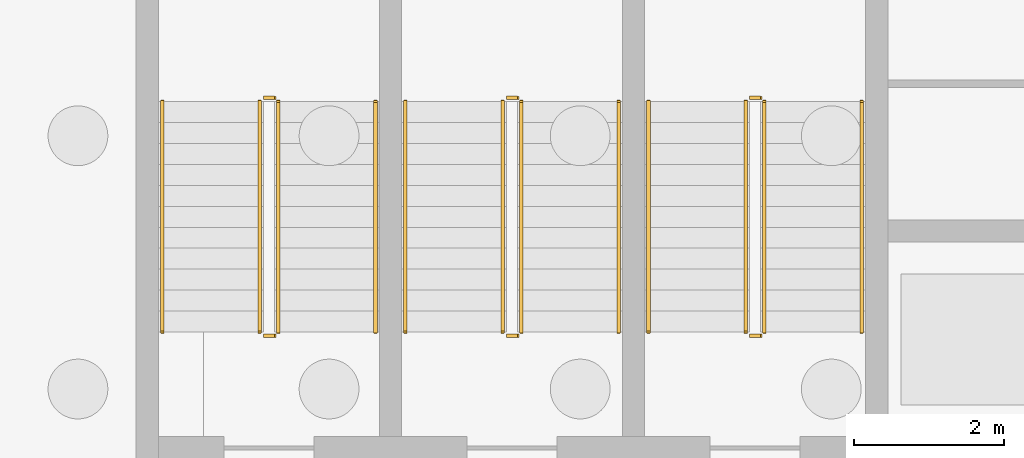
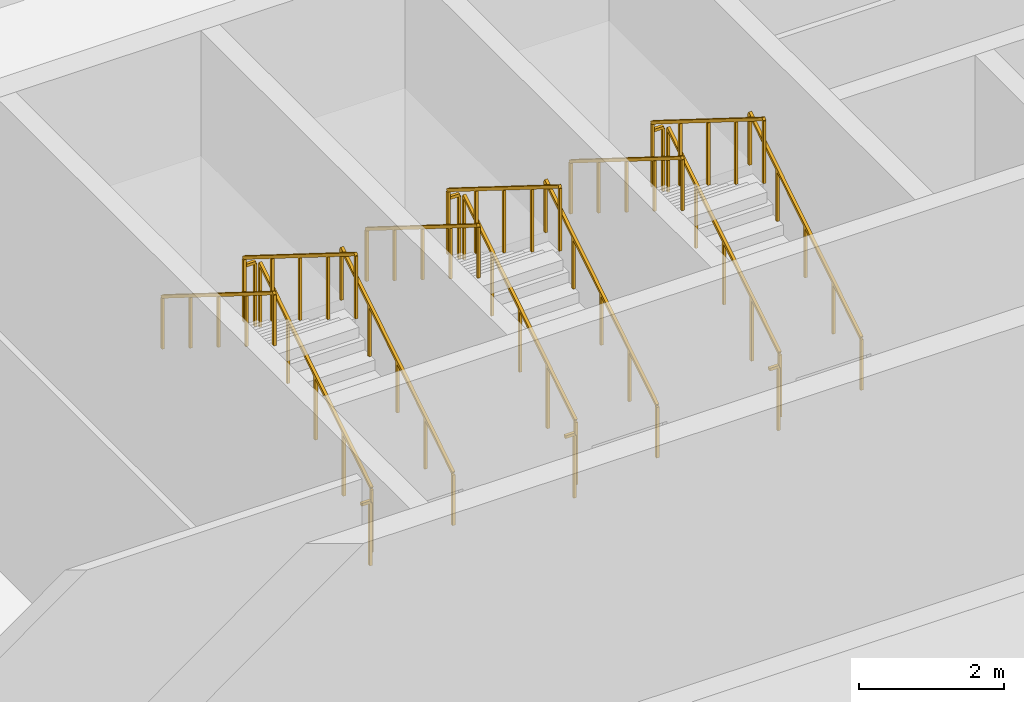
# One storey, part 25 of 32: 18 railings.
"""IFC4 building model written with IfcOpenShell, lengths in metres."""

from ifc_helpers import new_model, si_unit, direction, frame, origin, origin_2d, place, context, subcontext, project, spatial, rectangle, extrude, material, type_object, element, save


model = new_model("IFC4")

# Units and contexts
model_context = context("Model", 3, precision=1e-05, world=origin(), true_north=direction((0.0, 1.0)))
body_context = subcontext(model_context, "Body", "Model", "MODEL_VIEW")
ifc_project = project(units=[si_unit("LENGTHUNIT", "METRE"), si_unit("AREAUNIT", "SQUARE_METRE"), si_unit("VOLUMEUNIT", "CUBIC_METRE"), si_unit("PLANEANGLEUNIT", "RADIAN"), si_unit("MASSUNIT", "GRAM", prefix="KILO")], contexts=[model_context])

# Site, building, storey
site_placement = place(None, origin())
site = spatial("IfcSite", under=ifc_project, at=site_placement, CompositionType="ELEMENT")
building_placement = place(site_placement, origin())
building = spatial("IfcBuilding", under=site, at=building_placement, Name="Noorbagh Ring Tower", CompositionType="ELEMENT")
storey_placement = place(building_placement, frame((0.0, 0.0, -4.199951171875)))
storey = spatial("IfcBuildingStorey", under=building, at=storey_placement, Name="B1", CompositionType="ELEMENT", Elevation=-4.199951171875)

# Railings
ifc_material_1 = material(Name="Stainless steel", Category="steel")
railing_type_1 = type_object("IfcRailingType", Name="TH-STAIR-GUARD", PredefinedType="GUARDRAIL", material=ifc_material_1)
railing_1_placement = place(storey_placement, frame((-123.25, -16.25, 0.175048828125)))
element("IfcRailing", 1, at=railing_1_placement, inside=storey, type_object=railing_type_1, Name="B1 TSS1 stair guard 1", PredefinedType="GUARDRAIL", context=body_context, shape_type="SweptSolid", body=[
    extrude(rectangle(XDim=0.048095703125, YDim=0.048095703125, at=origin_2d()), frame((0.0, 0.0, 1.076171875), z_axis=(0.0, 0.848028513186, 0.529950602248), x_axis=(-1.0, 0.0, 0.0)), (0.0, 0.0, 1.0), 3.632080078125),
    extrude(rectangle(XDim=0.0419921875, YDim=0.0419921875, at=origin_2d()), origin(), (0.0, 0.0, 1.0), 1.052001953125),
    extrude(rectangle(XDim=0.0419921875, YDim=0.0419921875, at=origin_2d()), frame((0.0, 0.77001953125, 0.481201171875)), (0.0, 0.0, 1.0), 1.052001953125),
    extrude(rectangle(XDim=0.0419921875, YDim=0.0419921875, at=origin_2d()), frame((0.0, 1.5400390625, 0.96240234375)), (0.0, 0.0, 1.0), 1.052001953125),
    extrude(rectangle(XDim=0.0419921875, YDim=0.0419921875, at=origin_2d()), frame((0.0, 2.31005859375, 1.443603515625)), (0.0, 0.0, 1.0), 1.052001953125),
    extrude(rectangle(XDim=0.0419921875, YDim=0.0419921875, at=origin_2d()), frame((0.0, 3.080078125, 1.9248046875)), (0.0, 0.0, 1.0), 1.052001953125),
])
railing_2_placement = place(storey_placement, frame((-123.300048828125, -13.1201171875, 2.099853515625)))
element("IfcRailing", 2, at=railing_2_placement, inside=storey, type_object=railing_type_1, Name="B1 TSS1 stair guard 2", PredefinedType="GUARDRAIL", context=body_context, shape_type="SweptSolid", body=[
    extrude(rectangle(XDim=0.048095703125, YDim=0.048095703125, at=origin_2d()), frame((0.0, 0.0, 1.076171875), z_axis=(-1.0, 0.0, 0.0), x_axis=(0.0, -1.0, 0.0)), (0.0, 0.0, 1.0), 0.14990234375),
    extrude(rectangle(XDim=0.0419921875, YDim=0.0419921875, at=origin_2d()), origin(), (0.0, 0.0, 1.0), 1.052001953125),
])
railing_3_placement = place(storey_placement, frame((-123.5, -13.169921875, 2.27490234375)))
element("IfcRailing", 3, at=railing_3_placement, inside=storey, type_object=railing_type_1, Name="B1 TSS1 stair guard 3", PredefinedType="GUARDRAIL", context=body_context, shape_type="SweptSolid", body=[
    extrude(rectangle(XDim=0.048095703125, YDim=0.048095703125, at=origin_2d()), frame((0.0, 0.0, 1.076171875), z_axis=(0.0, -0.847998304005, 0.529998940003), x_axis=(1.0, 0.0, 0.0)), (0.0, 0.0, 1.0), 3.632080078125),
    extrude(rectangle(XDim=0.0419921875, YDim=0.0419921875, at=origin_2d()), origin(), (0.0, 0.0, 1.0), 1.052001953125),
    extrude(rectangle(XDim=0.0419921875, YDim=0.0419921875, at=origin_2d()), frame((0.0, -0.77001953125, 0.481201171875)), (0.0, 0.0, 1.0), 1.052001953125),
    extrude(rectangle(XDim=0.0419921875, YDim=0.0419921875, at=origin_2d()), frame((0.0, -1.5400390625, 0.96240234375)), (0.0, 0.0, 1.0), 1.052001953125),
    extrude(rectangle(XDim=0.0419921875, YDim=0.0419921875, at=origin_2d()), frame((0.0, -2.31005859375, 1.44384765625)), (0.0, 0.0, 1.0), 1.052001953125),
    extrude(rectangle(XDim=0.0419921875, YDim=0.0419921875, at=origin_2d()), frame((0.0, -3.080078125, 1.925048828125)), (0.0, 0.0, 1.0), 1.052001953125),
])
railing_4_placement = place(storey_placement, frame((-123.300048828125, -16.300048828125, 0.0)))
element("IfcRailing", 4, at=railing_4_placement, inside=storey, type_object=railing_type_1, Name="B1 TSS1 stair guard 4", PredefinedType="GUARDRAIL", context=body_context, shape_type="SweptSolid", body=[
    extrude(rectangle(XDim=0.048095703125, YDim=0.048095703125, at=origin_2d()), frame((0.0, 0.0, 1.076171875), z_axis=(-1.0, 0.0, 0.0), x_axis=(0.0, -1.0, 0.0)), (0.0, 0.0, 1.0), 0.14990234375),
    extrude(rectangle(XDim=0.0419921875, YDim=0.0419921875, at=origin_2d()), origin(), (0.0, 0.0, 1.0), 1.052001953125),
])
railing_5_placement = place(storey_placement, frame((-120.0, -16.25, 0.175048828125)))
element("IfcRailing", 5, at=railing_5_placement, inside=storey, type_object=railing_type_1, Name="B1 TSS2 stair guard 1", PredefinedType="GUARDRAIL", context=body_context, shape_type="SweptSolid", body=[
    extrude(rectangle(XDim=0.048095703125, YDim=0.048095703125, at=origin_2d()), frame((0.0, 0.0, 1.076171875), z_axis=(0.0, 0.848028513186, 0.529950602248), x_axis=(-1.0, 0.0, 0.0)), (0.0, 0.0, 1.0), 3.632080078125),
    extrude(rectangle(XDim=0.0419921875, YDim=0.0419921875, at=origin_2d()), origin(), (0.0, 0.0, 1.0), 1.052001953125),
    extrude(rectangle(XDim=0.0419921875, YDim=0.0419921875, at=origin_2d()), frame((0.0, 0.77001953125, 0.481201171875)), (0.0, 0.0, 1.0), 1.052001953125),
    extrude(rectangle(XDim=0.0419921875, YDim=0.0419921875, at=origin_2d()), frame((0.0, 1.5400390625, 0.96240234375)), (0.0, 0.0, 1.0), 1.052001953125),
    extrude(rectangle(XDim=0.0419921875, YDim=0.0419921875, at=origin_2d()), frame((0.0, 2.31005859375, 1.443603515625)), (0.0, 0.0, 1.0), 1.052001953125),
    extrude(rectangle(XDim=0.0419921875, YDim=0.0419921875, at=origin_2d()), frame((0.0, 3.080078125, 1.9248046875)), (0.0, 0.0, 1.0), 1.052001953125),
])
railing_6_placement = place(storey_placement, frame((-120.050048828125, -13.1201171875, 2.099853515625)))
element("IfcRailing", 6, at=railing_6_placement, inside=storey, type_object=railing_type_1, Name="B1 TSS2 stair guard 2", PredefinedType="GUARDRAIL", context=body_context, shape_type="SweptSolid", body=[
    extrude(rectangle(XDim=0.048095703125, YDim=0.048095703125, at=origin_2d()), frame((0.0, 0.0, 1.076171875), z_axis=(-1.0, 0.0, 0.0), x_axis=(0.0, -1.0, 0.0)), (0.0, 0.0, 1.0), 0.14990234375),
    extrude(rectangle(XDim=0.0419921875, YDim=0.0419921875, at=origin_2d()), origin(), (0.0, 0.0, 1.0), 1.052001953125),
])
railing_7_placement = place(storey_placement, frame((-120.25, -13.169921875, 2.27490234375)))
element("IfcRailing", 7, at=railing_7_placement, inside=storey, type_object=railing_type_1, Name="B1 TSS2 stair guard 3", PredefinedType="GUARDRAIL", context=body_context, shape_type="SweptSolid", body=[
    extrude(rectangle(XDim=0.048095703125, YDim=0.048095703125, at=origin_2d()), frame((0.0, 0.0, 1.076171875), z_axis=(0.0, -0.847998304005, 0.529998940003), x_axis=(1.0, 0.0, 0.0)), (0.0, 0.0, 1.0), 3.632080078125),
    extrude(rectangle(XDim=0.0419921875, YDim=0.0419921875, at=origin_2d()), origin(), (0.0, 0.0, 1.0), 1.052001953125),
    extrude(rectangle(XDim=0.0419921875, YDim=0.0419921875, at=origin_2d()), frame((0.0, -0.77001953125, 0.481201171875)), (0.0, 0.0, 1.0), 1.052001953125),
    extrude(rectangle(XDim=0.0419921875, YDim=0.0419921875, at=origin_2d()), frame((0.0, -1.5400390625, 0.96240234375)), (0.0, 0.0, 1.0), 1.052001953125),
    extrude(rectangle(XDim=0.0419921875, YDim=0.0419921875, at=origin_2d()), frame((0.0, -2.31005859375, 1.44384765625)), (0.0, 0.0, 1.0), 1.052001953125),
    extrude(rectangle(XDim=0.0419921875, YDim=0.0419921875, at=origin_2d()), frame((0.0, -3.080078125, 1.925048828125)), (0.0, 0.0, 1.0), 1.052001953125),
])
railing_8_placement = place(storey_placement, frame((-120.050048828125, -16.300048828125, 0.0)))
element("IfcRailing", 8, at=railing_8_placement, inside=storey, type_object=railing_type_1, Name="B1 TSS2 stair guard 4", PredefinedType="GUARDRAIL", context=body_context, shape_type="SweptSolid", body=[
    extrude(rectangle(XDim=0.048095703125, YDim=0.048095703125, at=origin_2d()), frame((0.0, 0.0, 1.076171875), z_axis=(-1.0, 0.0, 0.0), x_axis=(0.0, -1.0, 0.0)), (0.0, 0.0, 1.0), 0.14990234375),
    extrude(rectangle(XDim=0.0419921875, YDim=0.0419921875, at=origin_2d()), origin(), (0.0, 0.0, 1.0), 1.052001953125),
])
railing_9_placement = place(storey_placement, frame((-126.5, -16.25, 0.175048828125)))
element("IfcRailing", 9, at=railing_9_placement, inside=storey, type_object=railing_type_1, Name="B1 TSS3 stair guard 1", PredefinedType="GUARDRAIL", context=body_context, shape_type="SweptSolid", body=[
    extrude(rectangle(XDim=0.048095703125, YDim=0.048095703125, at=origin_2d()), frame((0.0, 0.0, 1.076171875), z_axis=(0.0, 0.848028513186, 0.529950602248), x_axis=(-1.0, 0.0, 0.0)), (0.0, 0.0, 1.0), 3.632080078125),
    extrude(rectangle(XDim=0.0419921875, YDim=0.0419921875, at=origin_2d()), origin(), (0.0, 0.0, 1.0), 1.052001953125),
    extrude(rectangle(XDim=0.0419921875, YDim=0.0419921875, at=origin_2d()), frame((0.0, 0.77001953125, 0.481201171875)), (0.0, 0.0, 1.0), 1.052001953125),
    extrude(rectangle(XDim=0.0419921875, YDim=0.0419921875, at=origin_2d()), frame((0.0, 1.5400390625, 0.96240234375)), (0.0, 0.0, 1.0), 1.052001953125),
    extrude(rectangle(XDim=0.0419921875, YDim=0.0419921875, at=origin_2d()), frame((0.0, 2.31005859375, 1.443603515625)), (0.0, 0.0, 1.0), 1.052001953125),
    extrude(rectangle(XDim=0.0419921875, YDim=0.0419921875, at=origin_2d()), frame((0.0, 3.080078125, 1.9248046875)), (0.0, 0.0, 1.0), 1.052001953125),
])
railing_10_placement = place(storey_placement, frame((-126.550048828125, -13.1201171875, 2.099853515625)))
element("IfcRailing", 10, at=railing_10_placement, inside=storey, type_object=railing_type_1, Name="B1 TSS3 stair guard 2", PredefinedType="GUARDRAIL", context=body_context, shape_type="SweptSolid", body=[
    extrude(rectangle(XDim=0.048095703125, YDim=0.048095703125, at=origin_2d()), frame((0.0, 0.0, 1.076171875), z_axis=(-1.0, 0.0, 0.0), x_axis=(0.0, -1.0, 0.0)), (0.0, 0.0, 1.0), 0.14990234375),
    extrude(rectangle(XDim=0.0419921875, YDim=0.0419921875, at=origin_2d()), origin(), (0.0, 0.0, 1.0), 1.052001953125),
])
railing_11_placement = place(storey_placement, frame((-126.75, -13.169921875, 2.27490234375)))
element("IfcRailing", 11, at=railing_11_placement, inside=storey, type_object=railing_type_1, Name="B1 TSS3 stair guard 3", PredefinedType="GUARDRAIL", context=body_context, shape_type="SweptSolid", body=[
    extrude(rectangle(XDim=0.048095703125, YDim=0.048095703125, at=origin_2d()), frame((0.0, 0.0, 1.076171875), z_axis=(0.0, -0.847998304005, 0.529998940003), x_axis=(1.0, 0.0, 0.0)), (0.0, 0.0, 1.0), 3.632080078125),
    extrude(rectangle(XDim=0.0419921875, YDim=0.0419921875, at=origin_2d()), origin(), (0.0, 0.0, 1.0), 1.052001953125),
    extrude(rectangle(XDim=0.0419921875, YDim=0.0419921875, at=origin_2d()), frame((0.0, -0.77001953125, 0.481201171875)), (0.0, 0.0, 1.0), 1.052001953125),
    extrude(rectangle(XDim=0.0419921875, YDim=0.0419921875, at=origin_2d()), frame((0.0, -1.5400390625, 0.96240234375)), (0.0, 0.0, 1.0), 1.052001953125),
    extrude(rectangle(XDim=0.0419921875, YDim=0.0419921875, at=origin_2d()), frame((0.0, -2.31005859375, 1.44384765625)), (0.0, 0.0, 1.0), 1.052001953125),
    extrude(rectangle(XDim=0.0419921875, YDim=0.0419921875, at=origin_2d()), frame((0.0, -3.080078125, 1.925048828125)), (0.0, 0.0, 1.0), 1.052001953125),
])
railing_12_placement = place(storey_placement, frame((-126.550048828125, -16.300048828125, 0.0)))
element("IfcRailing", 12, at=railing_12_placement, inside=storey, type_object=railing_type_1, Name="B1 TSS3 stair guard 4", PredefinedType="GUARDRAIL", context=body_context, shape_type="SweptSolid", body=[
    extrude(rectangle(XDim=0.048095703125, YDim=0.048095703125, at=origin_2d()), frame((0.0, 0.0, 1.076171875), z_axis=(-1.0, 0.0, 0.0), x_axis=(0.0, -1.0, 0.0)), (0.0, 0.0, 1.0), 0.14990234375),
    extrude(rectangle(XDim=0.0419921875, YDim=0.0419921875, at=origin_2d()), origin(), (0.0, 0.0, 1.0), 1.052001953125),
])
ifc_material_2 = material(Name="Stainless steel", Category="steel")
railing_type_2 = type_object("IfcRailingType", Name="TH-STAIR-HANDRAIL", PredefinedType="HANDRAIL", material=ifc_material_2)
railing_13_placement = place(storey_placement, frame((-121.949951171875, -16.25, 0.175048828125)))
element("IfcRailing", 13, at=railing_13_placement, inside=storey, type_object=railing_type_2, Name="B1 TSS1 stair handrail 1", PredefinedType="HANDRAIL", context=body_context, shape_type="SweptSolid", body=[
    extrude(rectangle(XDim=0.048095703125, YDim=0.048095703125, at=origin_2d()), frame((0.0, 0.0, 0.8759765625), z_axis=(0.0, 0.848028513186, 0.529950602248), x_axis=(-1.0, 0.0, 0.0)), (0.0, 0.0, 1.0), 3.632080078125),
    extrude(rectangle(XDim=0.0419921875, YDim=0.0419921875, at=origin_2d()), origin(), (0.0, 0.0, 1.0), 0.851806640625),
    extrude(rectangle(XDim=0.0419921875, YDim=0.0419921875, at=origin_2d()), frame((0.0, 0.77001953125, 0.481201171875)), (0.0, 0.0, 1.0), 0.851806640625),
    extrude(rectangle(XDim=0.0419921875, YDim=0.0419921875, at=origin_2d()), frame((0.0, 1.5400390625, 0.96240234375)), (0.0, 0.0, 1.0), 0.851806640625),
    extrude(rectangle(XDim=0.0419921875, YDim=0.0419921875, at=origin_2d()), frame((0.0, 2.31005859375, 1.443603515625)), (0.0, 0.0, 1.0), 0.851806640625),
    extrude(rectangle(XDim=0.0419921875, YDim=0.0419921875, at=origin_2d()), frame((0.0, 3.080078125, 1.9248046875)), (0.0, 0.0, 1.0), 0.851806640625),
])
railing_14_placement = place(storey_placement, frame((-124.800048828125, -13.169921875, 2.27490234375)))
element("IfcRailing", 14, at=railing_14_placement, inside=storey, type_object=railing_type_2, Name="B1 TSS1 stair handrail 2", PredefinedType="HANDRAIL", context=body_context, shape_type="SweptSolid", body=[
    extrude(rectangle(XDim=0.048095703125, YDim=0.048095703125, at=origin_2d()), frame((0.0, 0.0, 0.8759765625), z_axis=(0.0, -0.847998304005, 0.529998940003), x_axis=(1.0, 0.0, 0.0)), (0.0, 0.0, 1.0), 3.632080078125),
    extrude(rectangle(XDim=0.0419921875, YDim=0.0419921875, at=origin_2d()), origin(), (0.0, 0.0, 1.0), 0.851806640625),
    extrude(rectangle(XDim=0.0419921875, YDim=0.0419921875, at=origin_2d()), frame((0.0, -0.77001953125, 0.481201171875)), (0.0, 0.0, 1.0), 0.851806640625),
    extrude(rectangle(XDim=0.0419921875, YDim=0.0419921875, at=origin_2d()), frame((0.0, -1.5400390625, 0.96240234375)), (0.0, 0.0, 1.0), 0.851806640625),
    extrude(rectangle(XDim=0.0419921875, YDim=0.0419921875, at=origin_2d()), frame((0.0, -2.31005859375, 1.44384765625)), (0.0, 0.0, 1.0), 0.851806640625),
    extrude(rectangle(XDim=0.0419921875, YDim=0.0419921875, at=origin_2d()), frame((0.0, -3.080078125, 1.925048828125)), (0.0, 0.0, 1.0), 0.851806640625),
])
railing_15_placement = place(storey_placement, frame((-118.699951171875, -16.25, 0.175048828125)))
element("IfcRailing", 15, at=railing_15_placement, inside=storey, type_object=railing_type_2, Name="B1 TSS2 stair handrail 1", PredefinedType="HANDRAIL", context=body_context, shape_type="SweptSolid", body=[
    extrude(rectangle(XDim=0.048095703125, YDim=0.048095703125, at=origin_2d()), frame((0.0, 0.0, 0.8759765625), z_axis=(0.0, 0.848028513186, 0.529950602248), x_axis=(-1.0, 0.0, 0.0)), (0.0, 0.0, 1.0), 3.632080078125),
    extrude(rectangle(XDim=0.0419921875, YDim=0.0419921875, at=origin_2d()), origin(), (0.0, 0.0, 1.0), 0.851806640625),
    extrude(rectangle(XDim=0.0419921875, YDim=0.0419921875, at=origin_2d()), frame((0.0, 0.77001953125, 0.481201171875)), (0.0, 0.0, 1.0), 0.851806640625),
    extrude(rectangle(XDim=0.0419921875, YDim=0.0419921875, at=origin_2d()), frame((0.0, 1.5400390625, 0.96240234375)), (0.0, 0.0, 1.0), 0.851806640625),
    extrude(rectangle(XDim=0.0419921875, YDim=0.0419921875, at=origin_2d()), frame((0.0, 2.31005859375, 1.443603515625)), (0.0, 0.0, 1.0), 0.851806640625),
    extrude(rectangle(XDim=0.0419921875, YDim=0.0419921875, at=origin_2d()), frame((0.0, 3.080078125, 1.9248046875)), (0.0, 0.0, 1.0), 0.851806640625),
])
railing_16_placement = place(storey_placement, frame((-121.550048828125, -13.169921875, 2.27490234375)))
element("IfcRailing", 16, at=railing_16_placement, inside=storey, type_object=railing_type_2, Name="B1 TSS2 stair handrail 2", PredefinedType="HANDRAIL", context=body_context, shape_type="SweptSolid", body=[
    extrude(rectangle(XDim=0.048095703125, YDim=0.048095703125, at=origin_2d()), frame((0.0, 0.0, 0.8759765625), z_axis=(0.0, -0.847998304005, 0.529998940003), x_axis=(1.0, 0.0, 0.0)), (0.0, 0.0, 1.0), 3.632080078125),
    extrude(rectangle(XDim=0.0419921875, YDim=0.0419921875, at=origin_2d()), origin(), (0.0, 0.0, 1.0), 0.851806640625),
    extrude(rectangle(XDim=0.0419921875, YDim=0.0419921875, at=origin_2d()), frame((0.0, -0.77001953125, 0.481201171875)), (0.0, 0.0, 1.0), 0.851806640625),
    extrude(rectangle(XDim=0.0419921875, YDim=0.0419921875, at=origin_2d()), frame((0.0, -1.5400390625, 0.96240234375)), (0.0, 0.0, 1.0), 0.851806640625),
    extrude(rectangle(XDim=0.0419921875, YDim=0.0419921875, at=origin_2d()), frame((0.0, -2.31005859375, 1.44384765625)), (0.0, 0.0, 1.0), 0.851806640625),
    extrude(rectangle(XDim=0.0419921875, YDim=0.0419921875, at=origin_2d()), frame((0.0, -3.080078125, 1.925048828125)), (0.0, 0.0, 1.0), 0.851806640625),
])
railing_17_placement = place(storey_placement, frame((-125.199951171875, -16.25, 0.175048828125)))
element("IfcRailing", 17, at=railing_17_placement, inside=storey, type_object=railing_type_2, Name="B1 TSS3 stair handrail 1", PredefinedType="HANDRAIL", context=body_context, shape_type="SweptSolid", body=[
    extrude(rectangle(XDim=0.048095703125, YDim=0.048095703125, at=origin_2d()), frame((0.0, 0.0, 0.8759765625), z_axis=(0.0, 0.848028513186, 0.529950602248), x_axis=(-1.0, 0.0, 0.0)), (0.0, 0.0, 1.0), 3.632080078125),
    extrude(rectangle(XDim=0.0419921875, YDim=0.0419921875, at=origin_2d()), origin(), (0.0, 0.0, 1.0), 0.851806640625),
    extrude(rectangle(XDim=0.0419921875, YDim=0.0419921875, at=origin_2d()), frame((0.0, 0.77001953125, 0.481201171875)), (0.0, 0.0, 1.0), 0.851806640625),
    extrude(rectangle(XDim=0.0419921875, YDim=0.0419921875, at=origin_2d()), frame((0.0, 1.5400390625, 0.96240234375)), (0.0, 0.0, 1.0), 0.851806640625),
    extrude(rectangle(XDim=0.0419921875, YDim=0.0419921875, at=origin_2d()), frame((0.0, 2.31005859375, 1.443603515625)), (0.0, 0.0, 1.0), 0.851806640625),
    extrude(rectangle(XDim=0.0419921875, YDim=0.0419921875, at=origin_2d()), frame((0.0, 3.080078125, 1.9248046875)), (0.0, 0.0, 1.0), 0.851806640625),
])
railing_18_placement = place(storey_placement, frame((-128.050048828125, -13.169921875, 2.27490234375)))
element("IfcRailing", 18, at=railing_18_placement, inside=storey, type_object=railing_type_2, Name="B1 TSS3 stair handrail 2", PredefinedType="HANDRAIL", context=body_context, shape_type="SweptSolid", body=[
    extrude(rectangle(XDim=0.048095703125, YDim=0.048095703125, at=origin_2d()), frame((0.0, 0.0, 0.8759765625), z_axis=(0.0, -0.847998304005, 0.529998940003), x_axis=(1.0, 0.0, 0.0)), (0.0, 0.0, 1.0), 3.632080078125),
    extrude(rectangle(XDim=0.0419921875, YDim=0.0419921875, at=origin_2d()), origin(), (0.0, 0.0, 1.0), 0.851806640625),
    extrude(rectangle(XDim=0.0419921875, YDim=0.0419921875, at=origin_2d()), frame((0.0, -0.77001953125, 0.481201171875)), (0.0, 0.0, 1.0), 0.851806640625),
    extrude(rectangle(XDim=0.0419921875, YDim=0.0419921875, at=origin_2d()), frame((0.0, -1.5400390625, 0.96240234375)), (0.0, 0.0, 1.0), 0.851806640625),
    extrude(rectangle(XDim=0.0419921875, YDim=0.0419921875, at=origin_2d()), frame((0.0, -2.31005859375, 1.44384765625)), (0.0, 0.0, 1.0), 0.851806640625),
    extrude(rectangle(XDim=0.0419921875, YDim=0.0419921875, at=origin_2d()), frame((0.0, -3.080078125, 1.925048828125)), (0.0, 0.0, 1.0), 0.851806640625),
])

save(model, "model.ifc")
